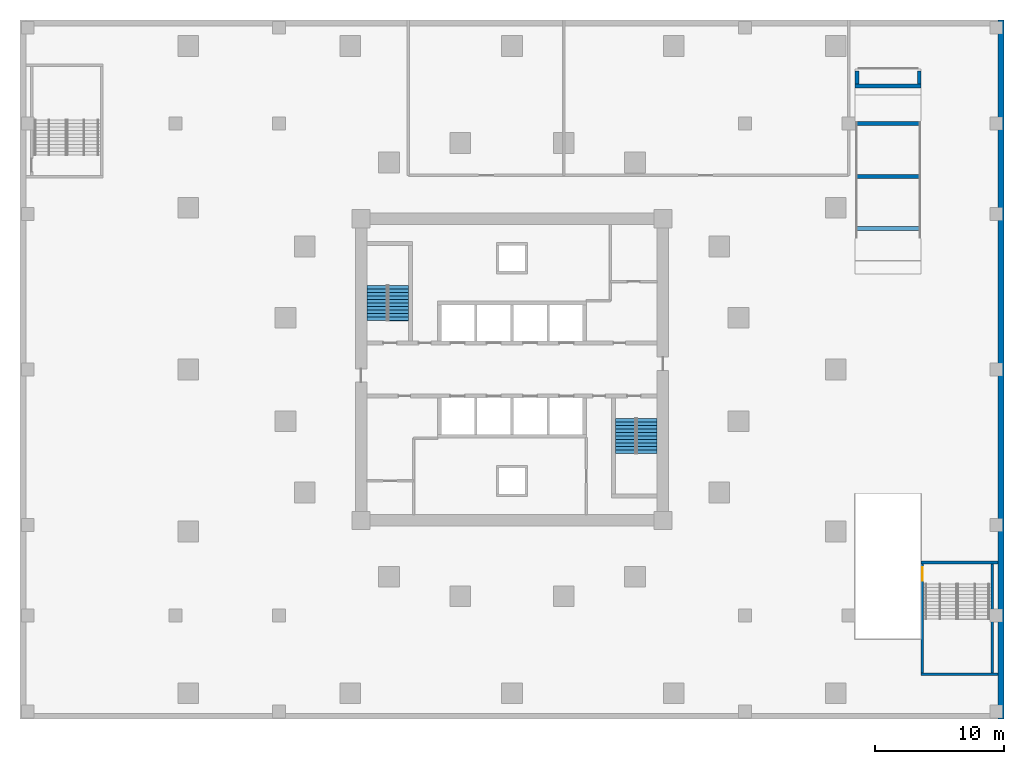
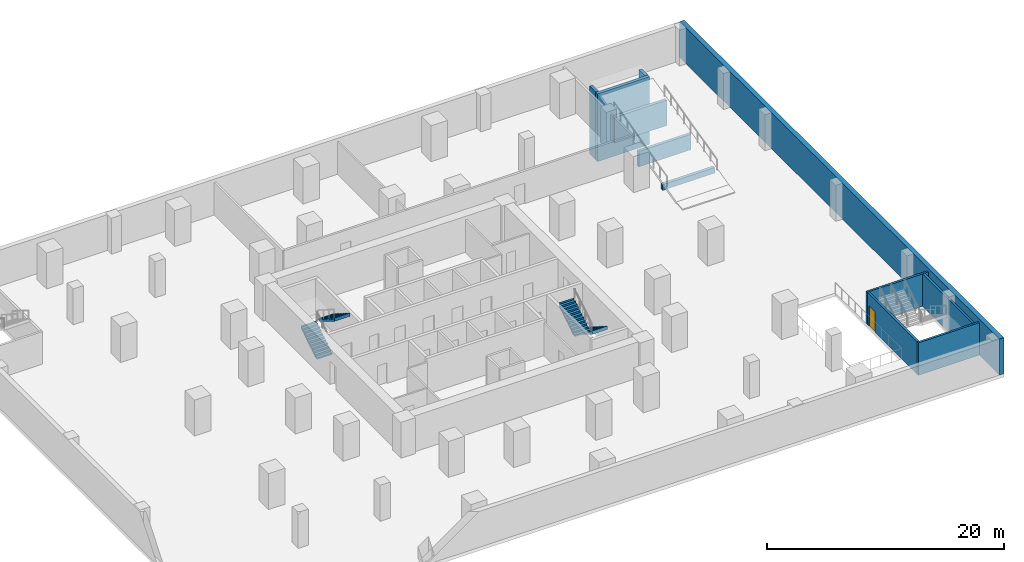
# One storey, part 6 of 9: 11 walls, 4 stair flights, 1 door, 1 opening, 2 elements without a shape of their own.
"""IFC4 building model written with IfcOpenShell, lengths in metres."""

from ifc_helpers import new_model, si_unit, direction, frame, frame_2d, origin, place, context, subcontext, project, spatial, polyline, rectangle, outline, extrude, material, layer, layer_set, type_object, element, fill, aggregate, save


model = new_model("IFC4")

# Units and contexts
model_context = context("Model", 3, precision=1e-05, world=origin(), true_north=direction((0.0, 1.0)))
body_context = subcontext(model_context, "Body", "Model", "MODEL_VIEW")
ifc_project = project(units=[si_unit("LENGTHUNIT", "METRE"), si_unit("AREAUNIT", "SQUARE_METRE"), si_unit("VOLUMEUNIT", "CUBIC_METRE"), si_unit("PLANEANGLEUNIT", "RADIAN"), si_unit("MASSUNIT", "GRAM", prefix="KILO")], contexts=[model_context])

# Site, building, storey
site_placement = place(None, origin())
site = spatial("IfcSite", under=ifc_project, at=site_placement, CompositionType="ELEMENT")
building_placement = place(site_placement, origin())
building = spatial("IfcBuilding", under=site, at=building_placement, Name="Torsade Residences", CompositionType="ELEMENT")
storey_placement = place(building_placement, frame((0.0, 0.0, -3.699951171875)))
storey = spatial("IfcBuildingStorey", under=building, at=storey_placement, Name="B1", CompositionType="ELEMENT", Elevation=-3.699951171875)

# Walls
ifc_material_1 = material(Name="Concrete 50 MPa", Category="concrete")
ifc_layer_1 = layer(ifc_material_1, 0.449951171875)
ifc_layer_set_1 = layer_set([ifc_layer_1], Name="Concrete 50 MPa")
wall_type_1 = type_object("IfcWallType", Name="BASEMENT RETAINING WALL 450", PredefinedType="SHEAR", material=ifc_layer_set_1)
wall_1_placement = place(storey_placement, frame((77.77490234375, 3.0, 0.0), z_axis=(0.0, 0.0, 1.0), x_axis=(0.0, 1.0, 0.0)))
element("IfcWall", 1, at=wall_1_placement, inside=storey, type_object=wall_type_1, Name="Retaining wall E B1", PredefinedType="SHEAR", context=body_context, shape_type="SweptSolid", body=[
    extrude(rectangle(XDim=54.0, YDim=0.449951171875, at=frame_2d((27.0, 0.0))), origin(), (0.0, 0.0, 1.0), 3.699951171875),
])
ifc_material_2 = material(Name="Concrete 80 MPa", Category="concrete")
ifc_layer_2 = layer(ifc_material_2, 0.300048828125)
ifc_layer_set_2 = layer_set([ifc_layer_2], Name="Concrete 80 MPa")
wall_type_2 = type_object("IfcWallType", Name="CAR PARK RAMP SUPPORT WALL 300", PredefinedType="SHEAR", material=ifc_layer_set_2)
wall_2_placement = place(storey_placement, frame((66.5, 40.89990234375, 0.0), z_axis=(0.0, 0.0, 1.0), x_axis=(1.0, 0.0, 0.0)))
element("IfcWall", 2, at=wall_2_placement, inside=storey, type_object=wall_type_2, Name="Car park ramp R2 support wall 1", PredefinedType="SHEAR", context=body_context, shape_type="SweptSolid", body=[
    extrude(rectangle(XDim=5.10009765625, YDim=0.300048828125, at=frame_2d((2.550048828125, 0.0))), origin(), (0.0, 0.0, 1.0), 0.590087890625),
])
wall_3_placement = place(storey_placement, frame((66.5, 44.89990234375, 0.0), z_axis=(0.0, 0.0, 1.0), x_axis=(1.0, 0.0, 0.0)))
element("IfcWall", 3, at=wall_3_placement, inside=storey, type_object=wall_type_2, Name="Car park ramp R2 support wall 2", PredefinedType="SHEAR", context=body_context, shape_type="SweptSolid", body=[
    extrude(rectangle(XDim=5.10009765625, YDim=0.300048828125, at=frame_2d((2.550048828125, 0.0))), origin(), (0.0, 0.0, 1.0), 1.590087890625),
])
wall_4_placement = place(storey_placement, frame((66.5, 49.0, 0.0), z_axis=(0.0, 0.0, 1.0), x_axis=(1.0, 0.0, 0.0)))
element("IfcWall", 4, at=wall_4_placement, inside=storey, type_object=wall_type_2, Name="Car park ramp R2 support wall 3", PredefinedType="SHEAR", context=body_context, shape_type="SweptSolid", body=[
    extrude(rectangle(XDim=5.10009765625, YDim=0.300048828125, at=frame_2d((2.550048828125, 0.0))), origin(), (0.0, 0.0, 1.0), 2.614990234375),
])
wall_5_placement = place(storey_placement, frame((66.5, 51.89990234375, -3.699951171875), z_axis=(0.0, 0.0, 1.0), x_axis=(1.0, 0.0, 0.0)))
element("IfcWall", 5, at=wall_5_placement, inside=storey, type_object=wall_type_2, Name="Car park ramp R2 support wall 4", PredefinedType="SHEAR", context=body_context, shape_type="SweptSolid", body=[
    extrude(rectangle(XDim=5.10009765625, YDim=0.300048828125, at=frame_2d((2.550048828125, 0.0))), origin(), (0.0, 0.0, 1.0), 6.976806640625),
])
for number, where, z_axis, x_axis, name in (
    (6, (66.64990234375, 52.050048828125, -3.699951171875), (0.0, 0.0, 1.0), (0.0, 1.0, 0.0), "Car park ramp R2 support wall 5"),
    (7, (71.449951171875, 52.050048828125, -3.699951171875), (0.0, 0.0, 1.0), (0.0, 1.0, 0.0), "Car park ramp R2 support wall 6"),
):
    element("IfcWall", number, at=place(storey_placement, frame(where, z_axis=z_axis, x_axis=x_axis)), inside=storey, type_object=wall_type_2, Name=name, PredefinedType="SHEAR", context=body_context, shape_type="SweptSolid", body=[
        extrude(rectangle(XDim=1.0, YDim=0.300048828125, at=frame_2d((0.5, 0.0))), origin(), (0.0, 0.0, 1.0), 7.014404296875),
    ])
ifc_material_3 = material(Name="Reinforced blockwork", Category="masonry")
ifc_layer_3 = layer(ifc_material_3, 0.199951171875)
ifc_layer_set_3 = layer_set([ifc_layer_3], Name="Reinforced blockwork")
wall_type_3 = type_object("IfcWallType", Name="PODIUM STAIR ENCLOSURE WALL 200", PredefinedType="SOLIDWALL", material=ifc_layer_set_3)
wall_6_placement = place(storey_placement, frame((71.60009765625, 6.47998046875, 0.0), z_axis=(0.0, 0.0, 1.0), x_axis=(1.0, 0.0, 0.0)))
element("IfcWall", 8, at=wall_6_placement, inside=storey, type_object=wall_type_3, Name="Stair enclosure wall B1", PredefinedType="SOLIDWALL", context=body_context, shape_type="SweptSolid", body=[
    extrude(rectangle(XDim=5.949951171875, YDim=0.199951171875, at=frame_2d((2.97509765625, 0.0))), origin(), (0.0, 0.0, 1.0), 3.349853515625),
])
wall_7_placement = place(storey_placement, frame((77.10009765625, 6.580078125, 0.0), z_axis=(0.0, 0.0, 1.0), x_axis=(0.0, 1.0, 0.0)))
element("IfcWall", 9, at=wall_7_placement, inside=storey, type_object=wall_type_3, Name="Stair enclosure wall B1", PredefinedType="SOLIDWALL", context=body_context, shape_type="SweptSolid", body=[
    extrude(rectangle(XDim=8.419921875, YDim=0.199951171875, at=frame_2d((4.2099609375, 0.0))), origin(), (0.0, 0.0, 1.0), 3.349853515625),
])
wall_8_placement = place(storey_placement, frame((77.550048828125, 15.10009765625, 0.0), z_axis=(0.0, 0.0, 1.0), x_axis=(-1.0, 0.0, 0.0)))
element("IfcWall", 10, at=wall_8_placement, inside=storey, type_object=wall_type_3, Name="Stair enclosure wall B1", PredefinedType="SOLIDWALL", context=body_context, shape_type="SweptSolid", body=[
    extrude(rectangle(XDim=5.949951171875, YDim=0.199951171875, at=frame_2d((2.97509765625, 0.0))), origin(), (0.0, 0.0, 1.0), 3.349853515625),
])

# Wall, opening, door
wall_9_placement = place(storey_placement, frame((71.699951171875, 15.0, 0.0), z_axis=(0.0, 0.0, 1.0), x_axis=(0.0, -1.0, 0.0)))
wall_9 = element("IfcWall", 11, at=wall_9_placement, inside=storey, type_object=wall_type_3, Name="Stair enclosure wall B1", PredefinedType="SOLIDWALL", context=body_context, shape_type="SweptSolid", body=[
    extrude(rectangle(XDim=8.419921875, YDim=0.199951171875, at=frame_2d((4.2099609375, 0.0))), origin(), (0.0, 0.0, 1.0), 3.349853515625),
])
opening_placement = place(wall_9_placement, frame((0.280029296875, 0.0, 0.0)))
opening = element("IfcOpeningElement", 12, at=opening_placement, cuts=wall_9, Name="Opening D03", PredefinedType="OPENING", context=body_context, shape_type="SweptSolid", body=[
    extrude(rectangle(XDim=1.02001953125, YDim=2.10009765625, at=frame_2d((0.510009765625, 1.050048828125))), frame((0.0, 0.10986328125, 0.0), z_axis=(0.0, -1.0, 0.0), x_axis=(1.0, 0.0, 0.0)), (0.0, 0.0, 1.0), 0.219970703125),
])
ifc_material_4 = material(Name="Steel-framed fire door", Category="steel")
door_type = type_object("IfcDoorType", Name="FIRE DOOR 1020", OperationType="NOTDEFINED", PredefinedType="DOOR", material=ifc_material_4)
door_placement = place(opening_placement, origin())
door = element("IfcDoor", 13, at=door_placement, inside=storey, type_object=door_type, Name="Exit door to fire-isolated stair ST4 B1", OperationType="SINGLE_SWING_LEFT", OverallHeight=2.10009765625, OverallWidth=1.02001953125, PredefinedType="DOOR", context=body_context, shape_type="SweptSolid", body=[
    extrude(rectangle(XDim=1.02001953125, YDim=2.10009765625, at=frame_2d((0.510009765625, 1.050048828125))), frame((0.0, 0.02490234375, 0.0), z_axis=(0.0, -1.0, 0.0), x_axis=(1.0, 0.0, 0.0)), (0.0, 0.0, 1.0), 0.050048828125),
])
fill(opening, door)

# Stair, stair flights
ifc_material_5 = material(Name="Precast concrete 40 MPa", Category="concrete")
stair_type = type_object("IfcStairType", Name="HALF-TURN FIRE STAIR 1500x3700", PredefinedType="HALF_TURN_STAIR", material=ifc_material_5)
stair_1_placement = place(storey_placement, origin())
stair_1 = element("IfcStair", 14, at=stair_1_placement, inside=storey, type_object=stair_type, Name="Stair ST1 B1", PredefinedType="HALF_TURN_STAIR")
ifc_material_6 = material(Name="Precast concrete 40 MPa", Category="concrete")
stair_flight_type = type_object("IfcStairFlightType", Name="PRECAST STAIR FLIGHT 1500x1850", PredefinedType="STRAIGHT", material=ifc_material_6)
stair_flight_1_placement = place(storey_placement, frame((29.550048828125, 33.780029296875, 0.0), z_axis=(0.0, 0.0, 1.0), x_axis=(0.0, 1.0, 0.0)))
stair_flight_1 = element("IfcStairFlight", 15, at=stair_flight_1_placement, type_object=stair_flight_type, Name="ST1 flight 1", NumberOfRisers=11, NumberOfTreads=10, PredefinedType="STRAIGHT", RiserHeight=0.168181818, TreadLength=0.27, context=body_context, shape_type="SweptSolid", body=[
    extrude(outline(polyline([(0.0, 0.0), (0.0, 0.168212890625), (0.27001953125, 0.168212890625), (0.27001953125, 0.33642578125), (0.5400390625, 0.33642578125), (0.5400390625, 0.504638671875), (0.81005859375, 0.504638671875), (0.81005859375, 0.672607421875), (1.080078125, 0.672607421875), (1.080078125, 0.8408203125), (1.35009765625, 0.8408203125), (1.35009765625, 1.009033203125), (1.6201171875, 1.009033203125), (1.6201171875, 1.17724609375), (1.889892578125, 1.17724609375), (1.889892578125, 1.345458984375), (2.159912109375, 1.345458984375), (2.159912109375, 1.513671875), (2.429931640625, 1.513671875), (2.429931640625, 1.681884765625), (2.699951171875, 1.681884765625), (2.699951171875, 1.85009765625), (2.7099609375, 1.85009765625), (2.7099609375, 1.505126953125), (2.699951171875, 1.505126953125), (0.283447265625, 0.0), (0.0, 0.0)])), frame((0.0, 0.75, 0.0), z_axis=(0.0, -1.0, 0.0), x_axis=(1.0, 0.0, 0.0)), (0.0, 0.0, 1.0), 1.5),
])
stair_flight_2_placement = place(storey_placement, frame((31.25, 36.47998046875, 1.849853515625), z_axis=(0.0, 0.0, 1.0), x_axis=(0.0, -1.0, 0.0)))
stair_flight_2 = element("IfcStairFlight", 16, at=stair_flight_2_placement, type_object=stair_flight_type, Name="ST1 flight 2", NumberOfRisers=11, NumberOfTreads=10, PredefinedType="STRAIGHT", RiserHeight=0.168181818, TreadLength=0.27, context=body_context, shape_type="SweptSolid", body=[
    extrude(outline(polyline([(0.0, 0.0), (0.0, 0.168212890625), (0.27001953125, 0.168212890625), (0.27001953125, 0.33642578125), (0.5400390625, 0.33642578125), (0.5400390625, 0.504638671875), (0.81005859375, 0.504638671875), (0.81005859375, 0.672607421875), (1.080078125, 0.672607421875), (1.080078125, 0.8408203125), (1.35009765625, 0.8408203125), (1.35009765625, 1.009033203125), (1.6201171875, 1.009033203125), (1.6201171875, 1.17724609375), (1.889892578125, 1.17724609375), (1.889892578125, 1.345458984375), (2.159912109375, 1.345458984375), (2.159912109375, 1.513671875), (2.429931640625, 1.513671875), (2.429931640625, 1.681884765625), (2.699951171875, 1.681884765625), (2.699951171875, 1.85009765625), (2.7099609375, 1.85009765625), (2.7099609375, 1.505126953125), (2.699951171875, 1.505126953125), (0.283447265625, 0.0), (0.0, 0.0)])), frame((0.0, 0.75, 0.0), z_axis=(0.0, -1.0, 0.0), x_axis=(1.0, 0.0, 0.0)), (0.0, 0.0, 1.0), 1.5),
])
aggregate(stair_1, [stair_flight_1, stair_flight_2])

stair_2_placement = place(storey_placement, origin())
stair_2 = element("IfcStair", 17, at=stair_2_placement, inside=storey, type_object=stair_type, Name="Stair ST2 B1", PredefinedType="HALF_TURN_STAIR")
stair_flight_3_placement = place(storey_placement, frame((50.449951171875, 26.219970703125, 0.0), z_axis=(0.0, 0.0, 1.0), x_axis=(0.0, -1.0, 0.0)))
stair_flight_3 = element("IfcStairFlight", 18, at=stair_flight_3_placement, type_object=stair_flight_type, Name="ST2 flight 1", NumberOfRisers=11, NumberOfTreads=10, PredefinedType="STRAIGHT", RiserHeight=0.168181818, TreadLength=0.27, context=body_context, shape_type="SweptSolid", body=[
    extrude(outline(polyline([(0.0, 0.0), (0.0, 0.168212890625), (0.27001953125, 0.168212890625), (0.27001953125, 0.33642578125), (0.5400390625, 0.33642578125), (0.5400390625, 0.504638671875), (0.81005859375, 0.504638671875), (0.81005859375, 0.672607421875), (1.080078125, 0.672607421875), (1.080078125, 0.8408203125), (1.35009765625, 0.8408203125), (1.35009765625, 1.009033203125), (1.6201171875, 1.009033203125), (1.6201171875, 1.17724609375), (1.889892578125, 1.17724609375), (1.889892578125, 1.345458984375), (2.159912109375, 1.345458984375), (2.159912109375, 1.513671875), (2.429931640625, 1.513671875), (2.429931640625, 1.681884765625), (2.699951171875, 1.681884765625), (2.699951171875, 1.85009765625), (2.7099609375, 1.85009765625), (2.7099609375, 1.505126953125), (2.699951171875, 1.505126953125), (0.283447265625, 0.0), (0.0, 0.0)])), frame((0.0, 0.75, 0.0), z_axis=(0.0, -1.0, 0.0), x_axis=(1.0, 0.0, 0.0)), (0.0, 0.0, 1.0), 1.5),
])
stair_flight_4_placement = place(storey_placement, frame((48.75, 23.52001953125, 1.849853515625), z_axis=(0.0, 0.0, 1.0), x_axis=(0.0, 1.0, 0.0)))
stair_flight_4 = element("IfcStairFlight", 19, at=stair_flight_4_placement, type_object=stair_flight_type, Name="ST2 flight 2", NumberOfRisers=11, NumberOfTreads=10, PredefinedType="STRAIGHT", RiserHeight=0.168181818, TreadLength=0.27, context=body_context, shape_type="SweptSolid", body=[
    extrude(outline(polyline([(0.0, 0.0), (0.0, 0.168212890625), (0.27001953125, 0.168212890625), (0.27001953125, 0.33642578125), (0.5400390625, 0.33642578125), (0.5400390625, 0.504638671875), (0.81005859375, 0.504638671875), (0.81005859375, 0.672607421875), (1.080078125, 0.672607421875), (1.080078125, 0.8408203125), (1.35009765625, 0.8408203125), (1.35009765625, 1.009033203125), (1.6201171875, 1.009033203125), (1.6201171875, 1.17724609375), (1.889892578125, 1.17724609375), (1.889892578125, 1.345458984375), (2.159912109375, 1.345458984375), (2.159912109375, 1.513671875), (2.429931640625, 1.513671875), (2.429931640625, 1.681884765625), (2.699951171875, 1.681884765625), (2.699951171875, 1.85009765625), (2.7099609375, 1.85009765625), (2.7099609375, 1.505126953125), (2.699951171875, 1.505126953125), (0.283447265625, 0.0), (0.0, 0.0)])), frame((0.0, 0.75, 0.0), z_axis=(0.0, -1.0, 0.0), x_axis=(1.0, 0.0, 0.0)), (0.0, 0.0, 1.0), 1.5),
])
aggregate(stair_2, [stair_flight_3, stair_flight_4])

save(model, "model.ifc")
